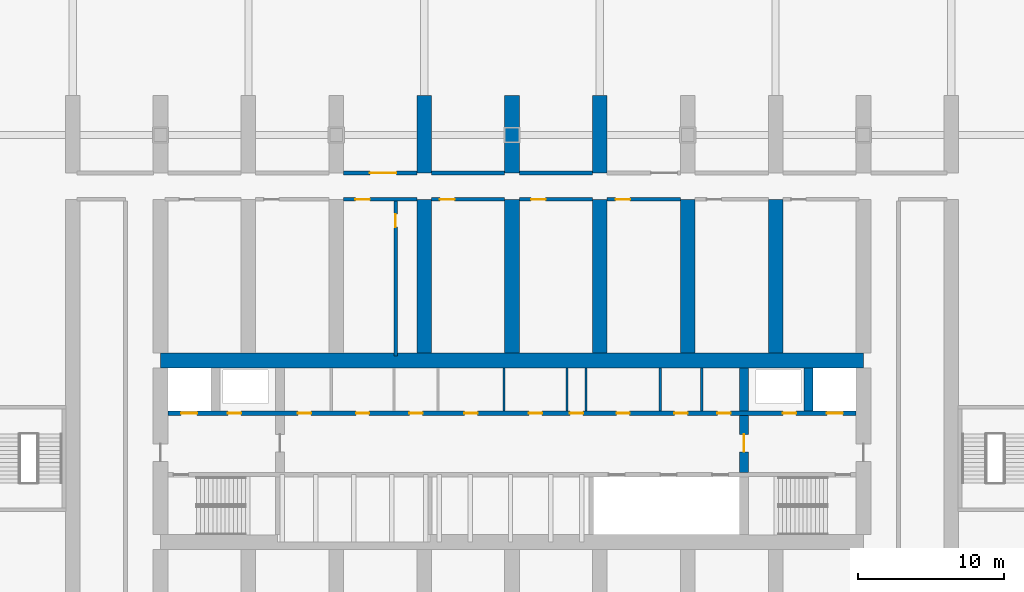
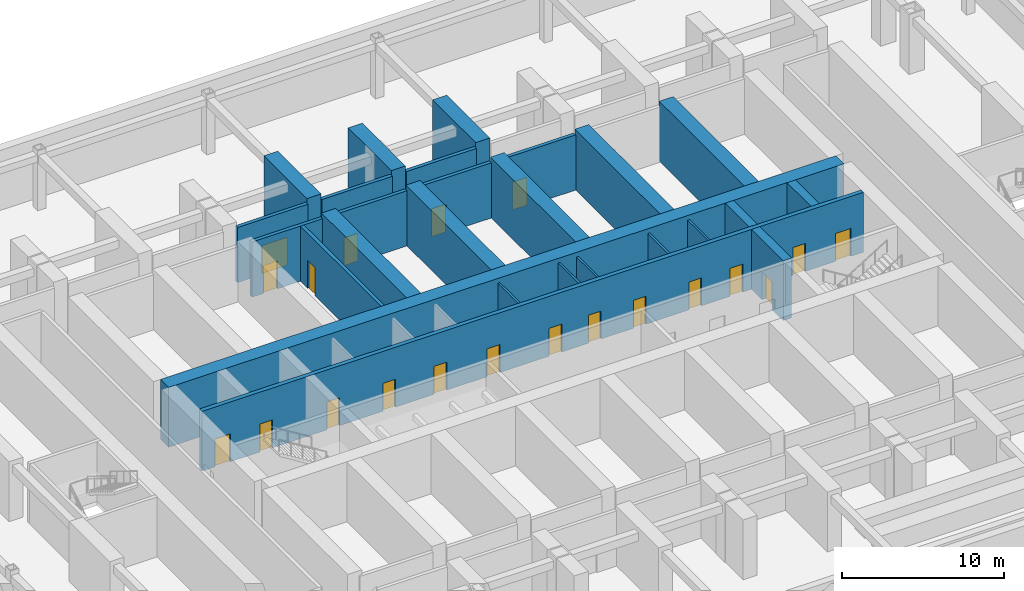
# One storey, part 5 of 16: 26 walls, 20 doors, 20 openings.
"""IFC4 building model written with IfcOpenShell, lengths in metres."""

from ifc_helpers import new_model, si_unit, direction, frame, frame_2d, origin, place, context, subcontext, project, spatial, rectangle, extrude, material, layer, layer_set, type_object, element, fill, save


model = new_model("IFC4")

# Units and contexts
model_context = context("Model", 3, precision=1e-05, world=origin(), true_north=direction((0.0, 1.0)))
body_context = subcontext(model_context, "Body", "Model", "MODEL_VIEW")
ifc_project = project(units=[si_unit("LENGTHUNIT", "METRE"), si_unit("AREAUNIT", "SQUARE_METRE"), si_unit("VOLUMEUNIT", "CUBIC_METRE"), si_unit("PLANEANGLEUNIT", "RADIAN"), si_unit("MASSUNIT", "GRAM", prefix="KILO")], contexts=[model_context])

# Site, building, storey
site_placement = place(None, origin())
site = spatial("IfcSite", under=ifc_project, at=site_placement, CompositionType="ELEMENT")
building_placement = place(site_placement, origin())
building = spatial("IfcBuilding", under=site, at=building_placement, Name="Orbita Commons", CompositionType="ELEMENT")
storey_placement = place(building_placement, frame((0.0, 0.0, -4.5)))
storey = spatial("IfcBuildingStorey", under=building, at=storey_placement, Name="L-01", CompositionType="ELEMENT", Elevation=-4.5)

# Wall, opening, door
ifc_material_1 = material(Name="Concrete blockwork", Category="masonry")
ifc_layer_1 = layer(ifc_material_1, 0.25)
ifc_layer_set_1 = layer_set([ifc_layer_1], Name="Concrete blockwork")
wall_type_1 = type_object("IfcWallType", Name="Basement wall 250 blockwork", PredefinedType="SOLIDWALL", material=ifc_layer_set_1)
wall_1_placement = place(storey_placement, frame((30.5, 51.0, 0.0), z_axis=(0.0, 0.0, 1.0), x_axis=(1.0, 0.0, 0.0)))
wall_1 = element("IfcWall", 1, at=wall_1_placement, inside=storey, type_object=wall_type_1, Name="Basement wall 250 blockwork L-01", PredefinedType="SOLIDWALL", context=body_context, shape_type="SweptSolid", body=[
    extrude(rectangle(XDim=5.0, YDim=0.25, at=frame_2d((2.5, 0.0))), origin(), (0.0, 0.0, 1.0), 4.14990234375),
])
opening_1_placement = place(wall_1_placement, frame((1.800048828125, 0.0, 0.0)))
opening_1 = element("IfcOpeningElement", 2, at=opening_1_placement, cuts=wall_1, Name="Opening D07", PredefinedType="OPENING", context=body_context, shape_type="SweptSolid", body=[
    extrude(rectangle(XDim=1.800048828125, YDim=2.10009765625, at=frame_2d((0.89990234375, 1.050048828125))), frame((0.0, 0.135009765625, 0.0), z_axis=(0.0, -1.0, 0.0), x_axis=(1.0, 0.0, 0.0)), (0.0, 0.0, 1.0), 0.27001953125),
])
ifc_material_2 = material(Name="Steel-faced fire door leaf", Category="steel")
door_type_1 = type_object("IfcDoorType", Name="Double corridor door 20 min 1800x2100", OperationType="DOUBLE_DOOR_SINGLE_SWING", PredefinedType="DOOR", material=ifc_material_2)
door_1_placement = place(opening_1_placement, origin())
door_1 = element("IfcDoor", 3, at=door_1_placement, inside=storey, type_object=door_type_1, Name="Hall doors north", OperationType="DOUBLE_DOOR_SINGLE_SWING", OverallHeight=2.10009765625, OverallWidth=1.800048828125, PredefinedType="DOOR", context=body_context, shape_type="SweptSolid", body=[
    extrude(rectangle(XDim=1.800048828125, YDim=2.10009765625, at=frame_2d((0.89990234375, 1.050048828125))), frame((0.0, 0.02490234375, 0.0), z_axis=(0.0, -1.0, 0.0), x_axis=(1.0, 0.0, 0.0)), (0.0, 0.0, 1.0), 0.050048828125),
])
fill(opening_1, door_1)

# Walls
for number, where, z_axis, x_axis, name in (
    (4, (36.5, 51.0, 0.0), (0.0, 0.0, 1.0), (1.0, 0.0, 0.0), "Basement wall 250 blockwork L-01"),
    (5, (42.5, 51.0, 0.0), (0.0, 0.0, 1.0), (1.0, 0.0, 0.0), "Basement wall 250 blockwork L-01"),
):
    element("IfcWall", number, at=place(storey_placement, frame(where, z_axis=z_axis, x_axis=x_axis)), inside=storey, type_object=wall_type_1, Name=name, PredefinedType="SOLIDWALL", context=body_context, shape_type="SweptSolid", body=[
        extrude(rectangle(XDim=5.0, YDim=0.25, at=frame_2d((2.5, 0.0))), origin(), (0.0, 0.0, 1.0), 4.14990234375),
    ])

# Wall, opening, door
wall_2_placement = place(storey_placement, frame((34.050048828125, 38.5, 0.0), z_axis=(0.0, 0.0, 1.0), x_axis=(0.0, 1.0, 0.0)))
wall_2 = element("IfcWall", 6, at=wall_2_placement, inside=storey, type_object=wall_type_1, Name="Basement wall 250 blockwork L-01", PredefinedType="SOLIDWALL", context=body_context, shape_type="SweptSolid", body=[
    extrude(rectangle(XDim=10.699951171875, YDim=0.25, at=frame_2d((5.35009765625, 0.0))), origin(), (0.0, 0.0, 1.0), 4.14990234375),
])
opening_2_placement = place(wall_2_placement, frame((8.800048828125, 0.0, 0.0)))
opening_2 = element("IfcOpeningElement", 7, at=opening_2_placement, cuts=wall_2, Name="Opening D09", PredefinedType="OPENING", context=body_context, shape_type="SweptSolid", body=[
    extrude(rectangle(XDim=0.89990234375, YDim=2.10009765625, at=frame_2d((0.449951171875, 1.050048828125))), frame((0.0, 0.135009765625, 0.0), z_axis=(0.0, -1.0, 0.0), x_axis=(1.0, 0.0, 0.0)), (0.0, 0.0, 1.0), 0.27001953125),
])
ifc_material_3 = material(Name="Laminated timber door leaf", Category="wood")
door_type_2 = type_object("IfcDoorType", Name="En-suite door 900x2100", OperationType="SINGLE_SWING_RIGHT", PredefinedType="DOOR", material=ifc_material_3)
door_2_placement = place(opening_2_placement, origin())
door_2 = element("IfcDoor", 8, at=door_2_placement, inside=storey, type_object=door_type_2, Name="Facilities workshop store L-01 door", OperationType="SINGLE_SWING_RIGHT", OverallHeight=2.10009765625, OverallWidth=0.89990234375, PredefinedType="DOOR", context=body_context, shape_type="SweptSolid", body=[
    extrude(rectangle(XDim=0.89990234375, YDim=2.10009765625, at=frame_2d((0.449951171875, 1.050048828125))), frame((0.0, 0.02490234375, 0.0), z_axis=(0.0, -1.0, 0.0), x_axis=(1.0, 0.0, 0.0)), (0.0, 0.0, 1.0), 0.050048828125),
])
fill(opening_2, door_2)

wall_3_placement = place(storey_placement, frame((30.5, 49.199951171875, 0.0), z_axis=(0.0, 0.0, 1.0), x_axis=(1.0, 0.0, 0.0)))
wall_3 = element("IfcWall", 9, at=wall_3_placement, inside=storey, type_object=wall_type_1, Name="Basement wall 250 blockwork L-01", PredefinedType="SOLIDWALL", context=body_context, shape_type="SweptSolid", body=[
    extrude(rectangle(XDim=5.0, YDim=0.25, at=frame_2d((2.5, 0.0))), origin(), (0.0, 0.0, 1.0), 4.14990234375),
])
opening_3_placement = place(wall_3_placement, frame((0.800048828125, 0.0, 0.0)))
opening_3 = element("IfcOpeningElement", 10, at=opening_3_placement, cuts=wall_3, Name="Opening D06", PredefinedType="OPENING", context=body_context, shape_type="SweptSolid", body=[
    extrude(rectangle(XDim=1.0, YDim=2.10009765625, at=frame_2d((0.5, 1.050048828125))), frame((0.0, 0.135009765625, 0.0), z_axis=(0.0, -1.0, 0.0), x_axis=(1.0, 0.0, 0.0)), (0.0, 0.0, 1.0), 0.27001953125),
])
ifc_material_4 = material(Name="Steel-faced fire door leaf", Category="steel")
door_type_3 = type_object("IfcDoorType", Name="Corridor door 20 min 1000x2100", OperationType="SINGLE_SWING_LEFT", PredefinedType="DOOR", material=ifc_material_4)
door_3_placement = place(opening_3_placement, origin())
door_3 = element("IfcDoor", 11, at=door_3_placement, inside=storey, type_object=door_type_3, Name="Room door", OperationType="SINGLE_SWING_LEFT", OverallHeight=2.10009765625, OverallWidth=1.0, PredefinedType="DOOR", context=body_context, shape_type="SweptSolid", body=[
    extrude(rectangle(XDim=1.0, YDim=2.10009765625, at=frame_2d((0.5, 1.050048828125))), frame((0.0, 0.02490234375, 0.0), z_axis=(0.0, -1.0, 0.0), x_axis=(1.0, 0.0, 0.0)), (0.0, 0.0, 1.0), 0.050048828125),
])
fill(opening_3, door_3)

wall_4_placement = place(storey_placement, frame((36.5, 49.199951171875, 0.0), z_axis=(0.0, 0.0, 1.0), x_axis=(1.0, 0.0, 0.0)))
wall_4 = element("IfcWall", 12, at=wall_4_placement, inside=storey, type_object=wall_type_1, Name="Basement wall 250 blockwork L-01", PredefinedType="SOLIDWALL", context=body_context, shape_type="SweptSolid", body=[
    extrude(rectangle(XDim=5.0, YDim=0.25, at=frame_2d((2.5, 0.0))), origin(), (0.0, 0.0, 1.0), 4.14990234375),
])
opening_4_placement = place(wall_4_placement, frame((0.574951171875, 0.0, 0.0)))
opening_4 = element("IfcOpeningElement", 13, at=opening_4_placement, cuts=wall_4, Name="Opening D06", PredefinedType="OPENING", context=body_context, shape_type="SweptSolid", body=[
    extrude(rectangle(XDim=1.0, YDim=2.10009765625, at=frame_2d((0.5, 1.050048828125))), frame((0.0, 0.135009765625, 0.0), z_axis=(0.0, -1.0, 0.0), x_axis=(1.0, 0.0, 0.0)), (0.0, 0.0, 1.0), 0.27001953125),
])
door_4_placement = place(opening_4_placement, origin())
door_4 = element("IfcDoor", 14, at=door_4_placement, inside=storey, type_object=door_type_3, Name="Room door", OperationType="SINGLE_SWING_LEFT", OverallHeight=2.10009765625, OverallWidth=1.0, PredefinedType="DOOR", context=body_context, shape_type="SweptSolid", body=[
    extrude(rectangle(XDim=1.0, YDim=2.10009765625, at=frame_2d((0.5, 1.050048828125))), frame((0.0, 0.02490234375, 0.0), z_axis=(0.0, -1.0, 0.0), x_axis=(1.0, 0.0, 0.0)), (0.0, 0.0, 1.0), 0.050048828125),
])
fill(opening_4, door_4)

wall_5_placement = place(storey_placement, frame((42.5, 49.199951171875, 0.0), z_axis=(0.0, 0.0, 1.0), x_axis=(1.0, 0.0, 0.0)))
wall_5 = element("IfcWall", 15, at=wall_5_placement, inside=storey, type_object=wall_type_1, Name="Basement wall 250 blockwork L-01", PredefinedType="SOLIDWALL", context=body_context, shape_type="SweptSolid", body=[
    extrude(rectangle(XDim=5.0, YDim=0.25, at=frame_2d((2.5, 0.0))), origin(), (0.0, 0.0, 1.0), 4.14990234375),
])
opening_5_placement = place(wall_5_placement, frame((0.800048828125, 0.0, 0.0)))
opening_5 = element("IfcOpeningElement", 16, at=opening_5_placement, cuts=wall_5, Name="Opening D06", PredefinedType="OPENING", context=body_context, shape_type="SweptSolid", body=[
    extrude(rectangle(XDim=1.0, YDim=2.10009765625, at=frame_2d((0.5, 1.050048828125))), frame((0.0, 0.135009765625, 0.0), z_axis=(0.0, -1.0, 0.0), x_axis=(1.0, 0.0, 0.0)), (0.0, 0.0, 1.0), 0.27001953125),
])
door_5_placement = place(opening_5_placement, origin())
door_5 = element("IfcDoor", 17, at=door_5_placement, inside=storey, type_object=door_type_3, Name="Room door", OperationType="SINGLE_SWING_LEFT", OverallHeight=2.10009765625, OverallWidth=1.0, PredefinedType="DOOR", context=body_context, shape_type="SweptSolid", body=[
    extrude(rectangle(XDim=1.0, YDim=2.10009765625, at=frame_2d((0.5, 1.050048828125))), frame((0.0, 0.02490234375, 0.0), z_axis=(0.0, -1.0, 0.0), x_axis=(1.0, 0.0, 0.0)), (0.0, 0.0, 1.0), 0.050048828125),
])
fill(opening_5, door_5)

wall_6_placement = place(storey_placement, frame((48.5, 49.199951171875, 0.0), z_axis=(0.0, 0.0, 1.0), x_axis=(1.0, 0.0, 0.0)))
wall_6 = element("IfcWall", 18, at=wall_6_placement, inside=storey, type_object=wall_type_1, Name="Basement wall 250 blockwork L-01", PredefinedType="SOLIDWALL", context=body_context, shape_type="SweptSolid", body=[
    extrude(rectangle(XDim=5.0, YDim=0.25, at=frame_2d((2.5, 0.0))), origin(), (0.0, 0.0, 1.0), 4.14990234375),
])
opening_6_placement = place(wall_6_placement, frame((0.574951171875, 0.0, 0.0)))
opening_6 = element("IfcOpeningElement", 19, at=opening_6_placement, cuts=wall_6, Name="Opening D06", PredefinedType="OPENING", context=body_context, shape_type="SweptSolid", body=[
    extrude(rectangle(XDim=1.0, YDim=2.10009765625, at=frame_2d((0.5, 1.050048828125))), frame((0.0, 0.135009765625, 0.0), z_axis=(0.0, -1.0, 0.0), x_axis=(1.0, 0.0, 0.0)), (0.0, 0.0, 1.0), 0.27001953125),
])
door_6_placement = place(opening_6_placement, origin())
door_6 = element("IfcDoor", 20, at=door_6_placement, inside=storey, type_object=door_type_3, Name="Room door", OperationType="SINGLE_SWING_LEFT", OverallHeight=2.10009765625, OverallWidth=1.0, PredefinedType="DOOR", context=body_context, shape_type="SweptSolid", body=[
    extrude(rectangle(XDim=1.0, YDim=2.10009765625, at=frame_2d((0.5, 1.050048828125))), frame((0.0, 0.02490234375, 0.0), z_axis=(0.0, -1.0, 0.0), x_axis=(1.0, 0.0, 0.0)), (0.0, 0.0, 1.0), 0.050048828125),
])
fill(opening_6, door_6)

# Wall, openings, doors
ifc_material_5 = material(Name="Concrete C50/60", Category="concrete")
ifc_layer_2 = layer(ifc_material_5, 0.300048828125)
ifc_layer_set_2 = layer_set([ifc_layer_2], Name="Concrete C50/60")
wall_type_2 = type_object("IfcWallType", Name="Core inner wall 300 C50/60", PredefinedType="SHEAR", material=ifc_layer_set_2)
wall_7_placement = place(storey_placement, frame((18.5, 34.60009765625, 0.0), z_axis=(0.0, 0.0, 1.0), x_axis=(1.0, 0.0, 0.0)))
wall_7 = element("IfcWall", 21, at=wall_7_placement, inside=storey, type_object=wall_type_2, Name="Lobby wall north L-01", PredefinedType="SHEAR", context=body_context, shape_type="SweptSolid", body=[
    extrude(rectangle(XDim=47.0, YDim=0.300048828125, at=frame_2d((23.5, 0.0))), origin(), (0.0, 0.0, 1.0), 4.5),
])
opening_7_placement = place(wall_7_placement, frame((0.89990234375, 0.0, 0.0)))
opening_7 = element("IfcOpeningElement", 22, at=opening_7_placement, cuts=wall_7, Name="Opening LD01", PredefinedType="OPENING", context=body_context, shape_type="SweptSolid", body=[
    extrude(rectangle(XDim=1.10009765625, YDim=2.10009765625, at=frame_2d((0.550048828125, 1.050048828125))), frame((0.0, 0.159912109375, 0.0), z_axis=(0.0, -1.0, 0.0), x_axis=(1.0, 0.0, 0.0)), (0.0, 0.0, 1.0), 0.320068359375),
])
opening_8_placement = place(wall_7_placement, frame((45.0, 0.0, 0.0)))
opening_8 = element("IfcOpeningElement", 23, at=opening_8_placement, cuts=wall_7, Name="Opening LD01", PredefinedType="OPENING", context=body_context, shape_type="SweptSolid", body=[
    extrude(rectangle(XDim=1.10009765625, YDim=2.10009765625, at=frame_2d((0.550048828125, 1.050048828125))), frame((0.0, 0.159912109375, 0.0), z_axis=(0.0, -1.0, 0.0), x_axis=(1.0, 0.0, 0.0)), (0.0, 0.0, 1.0), 0.320068359375),
])
opening_9_placement = place(wall_7_placement, frame((4.10009765625, 0.0, 0.0)))
opening_9 = element("IfcOpeningElement", 24, at=opening_9_placement, cuts=wall_7, Name="Opening D03", PredefinedType="OPENING", context=body_context, shape_type="SweptSolid", body=[
    extrude(rectangle(XDim=0.89990234375, YDim=2.10009765625, at=frame_2d((0.449951171875, 1.050048828125))), frame((0.0, 0.159912109375, 0.0), z_axis=(0.0, -1.0, 0.0), x_axis=(1.0, 0.0, 0.0)), (0.0, 0.0, 1.0), 0.320068359375),
])
opening_10_placement = place(wall_7_placement, frame((42.0, 0.0, 0.0)))
opening_10 = element("IfcOpeningElement", 25, at=opening_10_placement, cuts=wall_7, Name="Opening D03", PredefinedType="OPENING", context=body_context, shape_type="SweptSolid", body=[
    extrude(rectangle(XDim=0.89990234375, YDim=2.10009765625, at=frame_2d((0.449951171875, 1.050048828125))), frame((0.0, 0.159912109375, 0.0), z_axis=(0.0, -1.0, 0.0), x_axis=(1.0, 0.0, 0.0)), (0.0, 0.0, 1.0), 0.320068359375),
])
opening_11_placement = place(wall_7_placement, frame((8.87548828125, 0.0, 0.0)))
opening_11 = element("IfcOpeningElement", 26, at=opening_11_placement, cuts=wall_7, Name="Opening D05", PredefinedType="OPENING", context=body_context, shape_type="SweptSolid", body=[
    extrude(rectangle(XDim=0.89990234375, YDim=2.10009765625, at=frame_2d((0.449951171875, 1.050048828125))), frame((0.0, 0.159912109375, 0.0), z_axis=(0.0, -1.0, 0.0), x_axis=(1.0, 0.0, 0.0)), (0.0, 0.0, 1.0), 0.320068359375),
])
opening_12_placement = place(wall_7_placement, frame((12.8486328125, 0.0, 0.0)))
opening_12 = element("IfcOpeningElement", 27, at=opening_12_placement, cuts=wall_7, Name="Opening D03", PredefinedType="OPENING", context=body_context, shape_type="SweptSolid", body=[
    extrude(rectangle(XDim=0.89990234375, YDim=2.10009765625, at=frame_2d((0.449951171875, 1.050048828125))), frame((0.0, 0.159912109375, 0.0), z_axis=(0.0, -1.0, 0.0), x_axis=(1.0, 0.0, 0.0)), (0.0, 0.0, 1.0), 0.320068359375),
])
opening_13_placement = place(wall_7_placement, frame((16.496337890625, 0.0, 0.0)))
opening_13 = element("IfcOpeningElement", 28, at=opening_13_placement, cuts=wall_7, Name="Opening D03", PredefinedType="OPENING", context=body_context, shape_type="SweptSolid", body=[
    extrude(rectangle(XDim=0.89990234375, YDim=2.10009765625, at=frame_2d((0.449951171875, 1.050048828125))), frame((0.0, 0.159912109375, 0.0), z_axis=(0.0, -1.0, 0.0), x_axis=(1.0, 0.0, 0.0)), (0.0, 0.0, 1.0), 0.320068359375),
])
opening_14_placement = place(wall_7_placement, frame((20.254638671875, 0.0, 0.0)))
opening_14 = element("IfcOpeningElement", 29, at=opening_14_placement, cuts=wall_7, Name="Opening D03", PredefinedType="OPENING", context=body_context, shape_type="SweptSolid", body=[
    extrude(rectangle(XDim=0.89990234375, YDim=2.10009765625, at=frame_2d((0.449951171875, 1.050048828125))), frame((0.0, 0.159912109375, 0.0), z_axis=(0.0, -1.0, 0.0), x_axis=(1.0, 0.0, 0.0)), (0.0, 0.0, 1.0), 0.320068359375),
])
opening_15_placement = place(wall_7_placement, frame((24.66064453125, 0.0, 0.0)))
opening_15 = element("IfcOpeningElement", 30, at=opening_15_placement, cuts=wall_7, Name="Opening D03", PredefinedType="OPENING", context=body_context, shape_type="SweptSolid", body=[
    extrude(rectangle(XDim=0.89990234375, YDim=2.10009765625, at=frame_2d((0.449951171875, 1.050048828125))), frame((0.0, 0.159912109375, 0.0), z_axis=(0.0, -1.0, 0.0), x_axis=(1.0, 0.0, 0.0)), (0.0, 0.0, 1.0), 0.320068359375),
])
opening_16_placement = place(wall_7_placement, frame((27.45849609375, 0.0, 0.0)))
opening_16 = element("IfcOpeningElement", 31, at=opening_16_placement, cuts=wall_7, Name="Opening D03", PredefinedType="OPENING", context=body_context, shape_type="SweptSolid", body=[
    extrude(rectangle(XDim=0.89990234375, YDim=2.10009765625, at=frame_2d((0.449951171875, 1.050048828125))), frame((0.0, 0.159912109375, 0.0), z_axis=(0.0, -1.0, 0.0), x_axis=(1.0, 0.0, 0.0)), (0.0, 0.0, 1.0), 0.320068359375),
])
opening_17_placement = place(wall_7_placement, frame((30.64111328125, 0.0, 0.0)))
opening_17 = element("IfcOpeningElement", 32, at=opening_17_placement, cuts=wall_7, Name="Opening D05", PredefinedType="OPENING", context=body_context, shape_type="SweptSolid", body=[
    extrude(rectangle(XDim=0.89990234375, YDim=2.10009765625, at=frame_2d((0.449951171875, 1.050048828125))), frame((0.0, 0.159912109375, 0.0), z_axis=(0.0, -1.0, 0.0), x_axis=(1.0, 0.0, 0.0)), (0.0, 0.0, 1.0), 0.320068359375),
])
opening_18_placement = place(wall_7_placement, frame((34.59228515625, 0.0, 0.0)))
opening_18 = element("IfcOpeningElement", 33, at=opening_18_placement, cuts=wall_7, Name="Opening D03", PredefinedType="OPENING", context=body_context, shape_type="SweptSolid", body=[
    extrude(rectangle(XDim=0.89990234375, YDim=2.10009765625, at=frame_2d((0.449951171875, 1.050048828125))), frame((0.0, 0.159912109375, 0.0), z_axis=(0.0, -1.0, 0.0), x_axis=(1.0, 0.0, 0.0)), (0.0, 0.0, 1.0), 0.320068359375),
])
opening_19_placement = place(wall_7_placement, frame((37.5302734375, 0.0, 0.0)))
opening_19 = element("IfcOpeningElement", 34, at=opening_19_placement, cuts=wall_7, Name="Opening D03", PredefinedType="OPENING", context=body_context, shape_type="SweptSolid", body=[
    extrude(rectangle(XDim=0.89990234375, YDim=2.10009765625, at=frame_2d((0.449951171875, 1.050048828125))), frame((0.0, 0.159912109375, 0.0), z_axis=(0.0, -1.0, 0.0), x_axis=(1.0, 0.0, 0.0)), (0.0, 0.0, 1.0), 0.320068359375),
])
ifc_material_6 = material(Name="Steel-faced fire door leaf", Category="steel")
door_type_4 = type_object("IfcDoorType", Name="Firefighting lift landing door 1100x2100", OperationType="DOUBLE_DOOR_SLIDING", PredefinedType="DOOR", material=ifc_material_6)
door_7_placement = place(opening_7_placement, origin())
door_7 = element("IfcDoor", 35, at=door_7_placement, inside=storey, type_object=door_type_4, Name="Firefighting lift FL1 landing door", OperationType="DOUBLE_DOOR_SLIDING", OverallHeight=2.10009765625, OverallWidth=1.10009765625, PredefinedType="DOOR", context=body_context, shape_type="SweptSolid", body=[
    extrude(rectangle(XDim=1.10009765625, YDim=2.10009765625, at=frame_2d((0.550048828125, 1.050048828125))), frame((0.0, 0.02490234375, 0.0), z_axis=(0.0, -1.0, 0.0), x_axis=(1.0, 0.0, 0.0)), (0.0, 0.0, 1.0), 0.050048828125),
])
fill(opening_7, door_7)
door_8_placement = place(opening_8_placement, origin())
door_8 = element("IfcDoor", 36, at=door_8_placement, inside=storey, type_object=door_type_4, Name="Firefighting lift FL2 landing door", OperationType="DOUBLE_DOOR_SLIDING", OverallHeight=2.10009765625, OverallWidth=1.10009765625, PredefinedType="DOOR", context=body_context, shape_type="SweptSolid", body=[
    extrude(rectangle(XDim=1.10009765625, YDim=2.10009765625, at=frame_2d((0.550048828125, 1.050048828125))), frame((0.0, 0.02490234375, 0.0), z_axis=(0.0, -1.0, 0.0), x_axis=(1.0, 0.0, 0.0)), (0.0, 0.0, 1.0), 0.050048828125),
])
fill(opening_8, door_8)
ifc_material_7 = material(Name="Steel-faced fire door leaf", Category="steel")
door_type_5 = type_object("IfcDoorType", Name="Service door 20 min 900x2100", OperationType="SINGLE_SWING_LEFT", PredefinedType="DOOR", material=ifc_material_7)
door_9_placement = place(opening_11_placement, origin())
door_9 = element("IfcDoor", 37, at=door_9_placement, inside=storey, type_object=door_type_5, Name="Accessible WC door", OperationType="SINGLE_SWING_LEFT", OverallHeight=2.10009765625, OverallWidth=0.89990234375, PredefinedType="DOOR", context=body_context, shape_type="SweptSolid", body=[
    extrude(rectangle(XDim=0.89990234375, YDim=2.10009765625, at=frame_2d((0.449951171875, 1.050048828125))), frame((0.0, 0.02490234375, 0.0), z_axis=(0.0, -1.0, 0.0), x_axis=(1.0, 0.0, 0.0)), (0.0, 0.0, 1.0), 0.050048828125),
])
fill(opening_11, door_9)
door_10_placement = place(opening_17_placement, origin())
door_10 = element("IfcDoor", 38, at=door_10_placement, inside=storey, type_object=door_type_5, Name="Guest pantry door", OperationType="SINGLE_SWING_LEFT", OverallHeight=2.10009765625, OverallWidth=0.89990234375, PredefinedType="DOOR", context=body_context, shape_type="SweptSolid", body=[
    extrude(rectangle(XDim=0.89990234375, YDim=2.10009765625, at=frame_2d((0.449951171875, 1.050048828125))), frame((0.0, 0.02490234375, 0.0), z_axis=(0.0, -1.0, 0.0), x_axis=(1.0, 0.0, 0.0)), (0.0, 0.0, 1.0), 0.050048828125),
])
fill(opening_17, door_10)
ifc_material_8 = material(Name="Steel-faced fire door leaf", Category="steel")
door_type_6 = type_object("IfcDoorType", Name="Shaft access door 90 min 900x2100", OperationType="SINGLE_SWING_LEFT", PredefinedType="DOOR", material=ifc_material_8)
door_11_placement = place(opening_9_placement, origin())
door_11 = element("IfcDoor", 39, at=door_11_placement, inside=storey, type_object=door_type_6, Name="Riser door west", OperationType="SINGLE_SWING_LEFT", OverallHeight=2.10009765625, OverallWidth=0.89990234375, PredefinedType="DOOR", context=body_context, shape_type="SweptSolid", body=[
    extrude(rectangle(XDim=0.89990234375, YDim=2.10009765625, at=frame_2d((0.449951171875, 1.050048828125))), frame((0.0, 0.02490234375, 0.0), z_axis=(0.0, -1.0, 0.0), x_axis=(1.0, 0.0, 0.0)), (0.0, 0.0, 1.0), 0.050048828125),
])
fill(opening_9, door_11)
door_12_placement = place(opening_10_placement, origin())
door_12 = element("IfcDoor", 40, at=door_12_placement, inside=storey, type_object=door_type_6, Name="Riser door east", OperationType="SINGLE_SWING_LEFT", OverallHeight=2.10009765625, OverallWidth=0.89990234375, PredefinedType="DOOR", context=body_context, shape_type="SweptSolid", body=[
    extrude(rectangle(XDim=0.89990234375, YDim=2.10009765625, at=frame_2d((0.449951171875, 1.050048828125))), frame((0.0, 0.02490234375, 0.0), z_axis=(0.0, -1.0, 0.0), x_axis=(1.0, 0.0, 0.0)), (0.0, 0.0, 1.0), 0.050048828125),
])
fill(opening_10, door_12)
door_13_placement = place(opening_12_placement, origin())
door_13 = element("IfcDoor", 41, at=door_13_placement, inside=storey, type_object=door_type_6, Name="Refuse chute room door", OperationType="SINGLE_SWING_LEFT", OverallHeight=2.10009765625, OverallWidth=0.89990234375, PredefinedType="DOOR", context=body_context, shape_type="SweptSolid", body=[
    extrude(rectangle(XDim=0.89990234375, YDim=2.10009765625, at=frame_2d((0.449951171875, 1.050048828125))), frame((0.0, 0.02490234375, 0.0), z_axis=(0.0, -1.0, 0.0), x_axis=(1.0, 0.0, 0.0)), (0.0, 0.0, 1.0), 0.050048828125),
])
fill(opening_12, door_13)
door_14_placement = place(opening_13_placement, origin())
door_14 = element("IfcDoor", 42, at=door_14_placement, inside=storey, type_object=door_type_6, Name="Electrical riser room door", OperationType="SINGLE_SWING_LEFT", OverallHeight=2.10009765625, OverallWidth=0.89990234375, PredefinedType="DOOR", context=body_context, shape_type="SweptSolid", body=[
    extrude(rectangle(XDim=0.89990234375, YDim=2.10009765625, at=frame_2d((0.449951171875, 1.050048828125))), frame((0.0, 0.02490234375, 0.0), z_axis=(0.0, -1.0, 0.0), x_axis=(1.0, 0.0, 0.0)), (0.0, 0.0, 1.0), 0.050048828125),
])
fill(opening_13, door_14)
door_15_placement = place(opening_14_placement, origin())
door_15 = element("IfcDoor", 43, at=door_15_placement, inside=storey, type_object=door_type_6, Name="IT room door", OperationType="SINGLE_SWING_LEFT", OverallHeight=2.10009765625, OverallWidth=0.89990234375, PredefinedType="DOOR", context=body_context, shape_type="SweptSolid", body=[
    extrude(rectangle(XDim=0.89990234375, YDim=2.10009765625, at=frame_2d((0.449951171875, 1.050048828125))), frame((0.0, 0.02490234375, 0.0), z_axis=(0.0, -1.0, 0.0), x_axis=(1.0, 0.0, 0.0)), (0.0, 0.0, 1.0), 0.050048828125),
])
fill(opening_14, door_15)
door_16_placement = place(opening_15_placement, origin())
door_16 = element("IfcDoor", 44, at=door_16_placement, inside=storey, type_object=door_type_6, Name="Communications room door", OperationType="SINGLE_SWING_LEFT", OverallHeight=2.10009765625, OverallWidth=0.89990234375, PredefinedType="DOOR", context=body_context, shape_type="SweptSolid", body=[
    extrude(rectangle(XDim=0.89990234375, YDim=2.10009765625, at=frame_2d((0.449951171875, 1.050048828125))), frame((0.0, 0.02490234375, 0.0), z_axis=(0.0, -1.0, 0.0), x_axis=(1.0, 0.0, 0.0)), (0.0, 0.0, 1.0), 0.050048828125),
])
fill(opening_15, door_16)
door_17_placement = place(opening_16_placement, origin())
door_17 = element("IfcDoor", 45, at=door_17_placement, inside=storey, type_object=door_type_6, Name="Stair pressurisation duct door", OperationType="SINGLE_SWING_LEFT", OverallHeight=2.10009765625, OverallWidth=0.89990234375, PredefinedType="DOOR", context=body_context, shape_type="SweptSolid", body=[
    extrude(rectangle(XDim=0.89990234375, YDim=2.10009765625, at=frame_2d((0.449951171875, 1.050048828125))), frame((0.0, 0.02490234375, 0.0), z_axis=(0.0, -1.0, 0.0), x_axis=(1.0, 0.0, 0.0)), (0.0, 0.0, 1.0), 0.050048828125),
])
fill(opening_16, door_17)
door_18_placement = place(opening_18_placement, origin())
door_18 = element("IfcDoor", 46, at=door_18_placement, inside=storey, type_object=door_type_6, Name="Linen store door", OperationType="SINGLE_SWING_LEFT", OverallHeight=2.10009765625, OverallWidth=0.89990234375, PredefinedType="DOOR", context=body_context, shape_type="SweptSolid", body=[
    extrude(rectangle(XDim=0.89990234375, YDim=2.10009765625, at=frame_2d((0.449951171875, 1.050048828125))), frame((0.0, 0.02490234375, 0.0), z_axis=(0.0, -1.0, 0.0), x_axis=(1.0, 0.0, 0.0)), (0.0, 0.0, 1.0), 0.050048828125),
])
fill(opening_18, door_18)
door_19_placement = place(opening_19_placement, origin())
door_19 = element("IfcDoor", 47, at=door_19_placement, inside=storey, type_object=door_type_6, Name="Cleaners store door", OperationType="SINGLE_SWING_LEFT", OverallHeight=2.10009765625, OverallWidth=0.89990234375, PredefinedType="DOOR", context=body_context, shape_type="SweptSolid", body=[
    extrude(rectangle(XDim=0.89990234375, YDim=2.10009765625, at=frame_2d((0.449951171875, 1.050048828125))), frame((0.0, 0.02490234375, 0.0), z_axis=(0.0, -1.0, 0.0), x_axis=(1.0, 0.0, 0.0)), (0.0, 0.0, 1.0), 0.050048828125),
])
fill(opening_19, door_19)

# Wall, opening, door
ifc_material_9 = material(Name="Concrete C50/60", Category="concrete")
ifc_layer_3 = layer(ifc_material_9, 0.60009765625)
ifc_layer_set_3 = layer_set([ifc_layer_3], Name="Concrete C50/60")
wall_type_3 = type_object("IfcWallType", Name="Core inner wall 600 C50/60", PredefinedType="SHEAR", material=ifc_layer_set_3)
wall_8_placement = place(storey_placement, frame((57.85009765625, 30.550048828125, 0.0), z_axis=(0.0, 0.0, 1.0), x_axis=(0.0, 1.0, 0.0)))
wall_8 = element("IfcWall", 48, at=wall_8_placement, inside=storey, type_object=wall_type_3, Name="Firefighting lobby wall east L-01", PredefinedType="SHEAR", context=body_context, shape_type="SweptSolid", body=[
    extrude(rectangle(XDim=3.89990234375, YDim=0.60009765625, at=frame_2d((1.949951171875, 0.0))), origin(), (0.0, 0.0, 1.0), 4.5),
])
opening_20_placement = place(wall_8_placement, frame((1.39990234375, 0.0, 0.0)))
opening_20 = element("IfcOpeningElement", 49, at=opening_20_placement, cuts=wall_8, Name="Opening D04", PredefinedType="OPENING", context=body_context, shape_type="SweptSolid", body=[
    extrude(rectangle(XDim=1.199951171875, YDim=2.10009765625, at=frame_2d((0.60009765625, 1.050048828125))), frame((0.0, 0.31005859375, 0.0), z_axis=(0.0, -1.0, 0.0), x_axis=(1.0, 0.0, 0.0)), (0.0, 0.0, 1.0), 0.6201171875),
])
ifc_material_10 = material(Name="Steel-faced fire door leaf", Category="steel")
door_type_7 = type_object("IfcDoorType", Name="Service door 20 min 1200x2100", OperationType="SINGLE_SWING_LEFT", PredefinedType="DOOR", material=ifc_material_10)
door_20_placement = place(opening_20_placement, origin())
door_20 = element("IfcDoor", 50, at=door_20_placement, inside=storey, type_object=door_type_7, Name="Lift lobby door east", OperationType="SINGLE_SWING_LEFT", OverallHeight=2.10009765625, OverallWidth=1.199951171875, PredefinedType="DOOR", context=body_context, shape_type="SweptSolid", body=[
    extrude(rectangle(XDim=1.199951171875, YDim=2.10009765625, at=frame_2d((0.60009765625, 1.050048828125))), frame((0.0, 0.02490234375, 0.0), z_axis=(0.0, -1.0, 0.0), x_axis=(1.0, 0.0, 0.0)), (0.0, 0.0, 1.0), 0.050048828125),
])
fill(opening_20, door_20)

# Walls
for number, where, z_axis, x_axis, name in (
    (51, (62.25, 34.75, 0.0), (0.0, 0.0, 1.0), (0.0, 1.0, 0.0), "Firefighting lift FL2 shaft wall L-01"),
    (52, (57.85009765625, 34.75, 0.0), (0.0, 0.0, 1.0), (0.0, 1.0, 0.0), "Riser wall east L-01"),
):
    element("IfcWall", number, at=place(storey_placement, frame(where, z_axis=z_axis, x_axis=x_axis)), inside=storey, type_object=wall_type_3, Name=name, PredefinedType="SHEAR", context=body_context, shape_type="SweptSolid", body=[
        extrude(rectangle(XDim=2.949951171875, YDim=0.60009765625, at=frame_2d((1.47509765625, 0.0))), origin(), (0.0, 0.0, 1.0), 4.5),
    ])
ifc_material_11 = material(Name="Concrete blockwork", Category="masonry")
ifc_layer_4 = layer(ifc_material_11, 0.14990234375)
ifc_layer_set_4 = layer_set([ifc_layer_4], Name="Concrete blockwork")
wall_type_4 = type_object("IfcWallType", Name="Core partition 150 blockwork", PredefinedType="SOLIDWALL", material=ifc_layer_set_4)
for number, where, z_axis, x_axis, name in (
    (53, (41.463134765625, 34.75, 0.0), (0.0, 0.0, 1.0), (0.0, 1.0, 0.0), "Core partition 150 blockwork L-01"),
    (54, (45.75830078125, 34.75, 0.0), (0.0, 0.0, 1.0), (0.0, 1.0, 0.0), "Core partition 150 blockwork L-01"),
    (55, (47.058349609375, 34.75, 0.0), (0.0, 0.0, 1.0), (0.0, 1.0, 0.0), "Core partition 150 blockwork L-01"),
    (56, (52.123779296875, 34.75, 0.0), (0.0, 0.0, 1.0), (0.0, 1.0, 0.0), "Core partition 150 blockwork L-01"),
    (57, (54.960693359375, 34.75, 0.0), (0.0, 0.0, 1.0), (0.0, 1.0, 0.0), "Core partition 150 blockwork L-01"),
):
    element("IfcWall", number, at=place(storey_placement, frame(where, z_axis=z_axis, x_axis=x_axis)), inside=storey, type_object=wall_type_4, Name=name, PredefinedType="SOLIDWALL", context=body_context, shape_type="SweptSolid", body=[
        extrude(rectangle(XDim=2.949951171875, YDim=0.14990234375, at=frame_2d((1.47509765625, 0.0))), origin(), (0.0, 0.0, 1.0), 4.14990234375),
    ])
ifc_material_12 = material(Name="Concrete C50/60", Category="concrete")
ifc_layer_5 = layer(ifc_material_12, 1.0)
ifc_layer_set_5 = layer_set([ifc_layer_5], Name="Concrete C50/60")
wall_type_5 = type_object("IfcWallType", Name="Core wall 1000 C50/60", PredefinedType="SHEAR", material=ifc_layer_set_5)
wall_9_placement = place(storey_placement, frame((18.0, 38.199951171875, 0.0), z_axis=(0.0, 0.0, 1.0), x_axis=(1.0, 0.0, 0.0)))
element("IfcWall", 58, at=wall_9_placement, inside=storey, type_object=wall_type_5, Name="Core spine wall north L-01", PredefinedType="SHEAR", context=body_context, shape_type="SweptSolid", body=[
    extrude(rectangle(XDim=48.0, YDim=1.0, at=frame_2d((24.0, 0.0))), origin(), (0.0, 0.0, 1.0), 4.5),
])
ifc_material_13 = material(Name="Concrete C50/60", Category="concrete")
ifc_layer_6 = layer(ifc_material_13, 1.0)
ifc_layer_set_6 = layer_set([ifc_layer_6], Name="Concrete C50/60")
wall_type_6 = type_object("IfcWallType", Name="Cross wall 1000 C50/60", PredefinedType="SHEAR", material=ifc_layer_set_6)
wall_10_placement = place(storey_placement, frame((36.0, 51.0, 0.0), z_axis=(0.0, 0.0, 1.0), x_axis=(0.0, 1.0, 0.0)))
element("IfcWall", 59, at=wall_10_placement, inside=storey, type_object=wall_type_6, Name="Cross wall 7 north outer L-01", PredefinedType="SHEAR", context=body_context, shape_type="SweptSolid", body=[
    extrude(rectangle(XDim=5.300048828125, YDim=1.0, at=frame_2d((2.64990234375, 0.0))), origin(), (0.0, 0.0, 1.0), 4.5),
])
wall_11_placement = place(storey_placement, frame((36.0, 38.699951171875, 0.0), z_axis=(0.0, 0.0, 1.0), x_axis=(0.0, 1.0, 0.0)))
element("IfcWall", 60, at=wall_11_placement, inside=storey, type_object=wall_type_6, Name="Cross wall 7 north inner L-01", PredefinedType="SHEAR", context=body_context, shape_type="SweptSolid", body=[
    extrude(rectangle(XDim=10.5, YDim=1.0, at=frame_2d((5.25, 0.0))), origin(), (0.0, 0.0, 1.0), 4.5),
])
wall_12_placement = place(storey_placement, frame((42.0, 51.0, 0.0), z_axis=(0.0, 0.0, 1.0), x_axis=(0.0, 1.0, 0.0)))
element("IfcWall", 61, at=wall_12_placement, inside=storey, type_object=wall_type_6, Name="Cross wall 8 north outer L-01", PredefinedType="SHEAR", context=body_context, shape_type="SweptSolid", body=[
    extrude(rectangle(XDim=5.300048828125, YDim=1.0, at=frame_2d((2.64990234375, 0.0))), origin(), (0.0, 0.0, 1.0), 4.5),
])
wall_13_placement = place(storey_placement, frame((42.0, 38.699951171875, 0.0), z_axis=(0.0, 0.0, 1.0), x_axis=(0.0, 1.0, 0.0)))
element("IfcWall", 62, at=wall_13_placement, inside=storey, type_object=wall_type_6, Name="Cross wall 8 north inner L-01", PredefinedType="SHEAR", context=body_context, shape_type="SweptSolid", body=[
    extrude(rectangle(XDim=10.5, YDim=1.0, at=frame_2d((5.25, 0.0))), origin(), (0.0, 0.0, 1.0), 4.5),
])
wall_14_placement = place(storey_placement, frame((48.0, 51.0, 0.0), z_axis=(0.0, 0.0, 1.0), x_axis=(0.0, 1.0, 0.0)))
element("IfcWall", 63, at=wall_14_placement, inside=storey, type_object=wall_type_6, Name="Cross wall 9 north outer L-01", PredefinedType="SHEAR", context=body_context, shape_type="SweptSolid", body=[
    extrude(rectangle(XDim=5.300048828125, YDim=1.0, at=frame_2d((2.64990234375, 0.0))), origin(), (0.0, 0.0, 1.0), 4.5),
])
for number, where, z_axis, x_axis, name in (
    (64, (48.0, 38.699951171875, 0.0), (0.0, 0.0, 1.0), (0.0, 1.0, 0.0), "Cross wall 9 north inner L-01"),
    (65, (54.0, 38.699951171875, 0.0), (0.0, 0.0, 1.0), (0.0, 1.0, 0.0), "Cross wall 10 north inner L-01"),
    (66, (60.0, 38.699951171875, 0.0), (0.0, 0.0, 1.0), (0.0, 1.0, 0.0), "Cross wall 11 north inner L-01"),
):
    element("IfcWall", number, at=place(storey_placement, frame(where, z_axis=z_axis, x_axis=x_axis)), inside=storey, type_object=wall_type_6, Name=name, PredefinedType="SHEAR", context=body_context, shape_type="SweptSolid", body=[
        extrude(rectangle(XDim=10.5, YDim=1.0, at=frame_2d((5.25, 0.0))), origin(), (0.0, 0.0, 1.0), 4.5),
    ])

save(model, "model.ifc")
